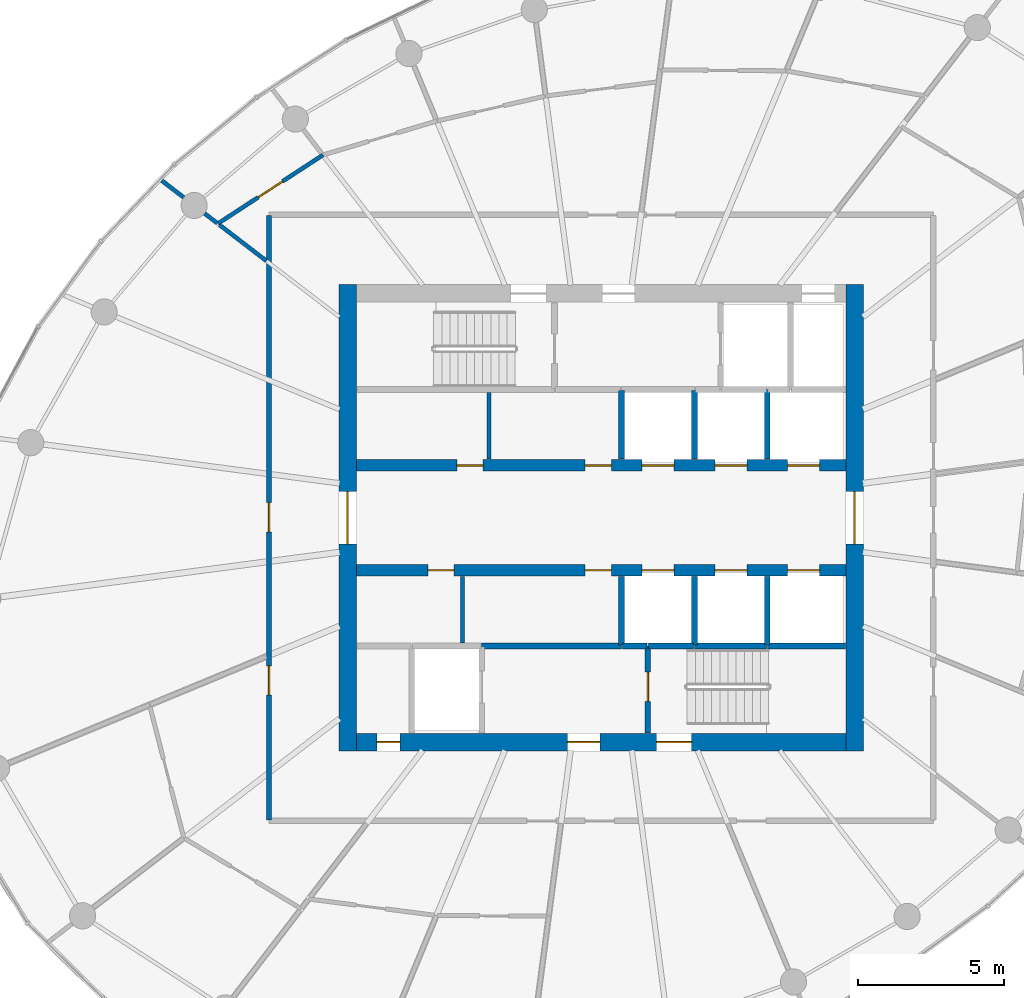
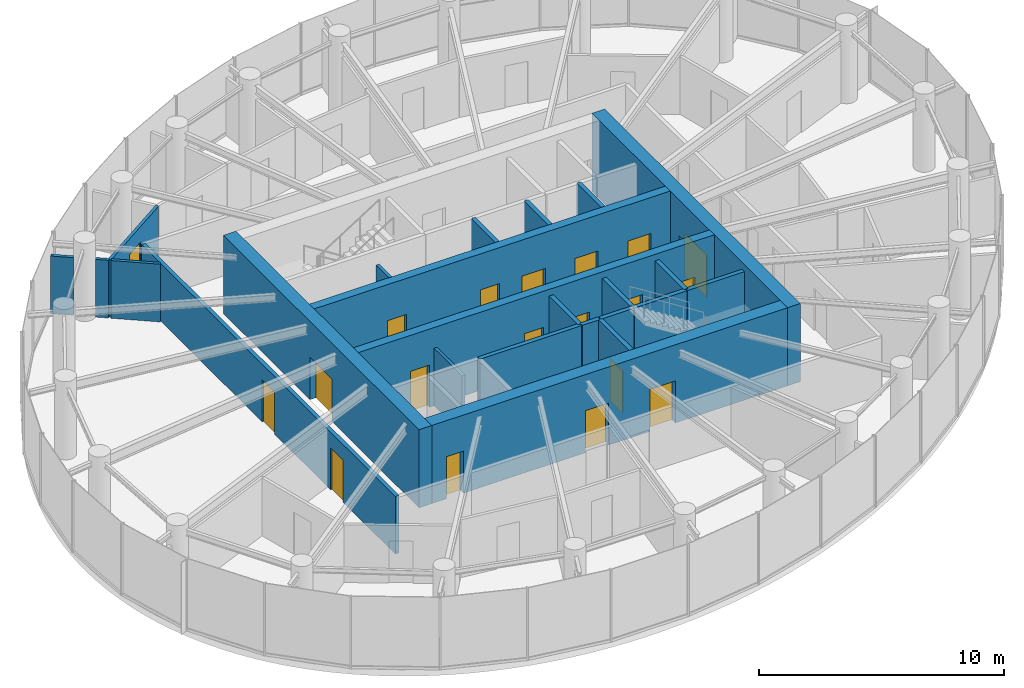
# One storey, part 10 of 14: 24 walls, 19 doors, 19 openings.
"""IFC4 building model written with IfcOpenShell, lengths in metres."""

from ifc_helpers import new_model, si_unit, direction, frame, frame_2d, origin, place, context, subcontext, project, spatial, rectangle, extrude, source, transform, mapped, material, layer, layer_set, type_object, element, fill, save


model = new_model("IFC4")

# Units and contexts
model_context = context("Model", 3, precision=1e-05, world=origin(), true_north=direction((0.0, 1.0)))
body_context = subcontext(model_context, "Body", "Model", "MODEL_VIEW")
ifc_project = project(units=[si_unit("LENGTHUNIT", "METRE"), si_unit("AREAUNIT", "SQUARE_METRE"), si_unit("VOLUMEUNIT", "CUBIC_METRE"), si_unit("PLANEANGLEUNIT", "RADIAN"), si_unit("MASSUNIT", "GRAM", prefix="KILO")], contexts=[model_context])

# Site, building, storey
site_placement = place(None, origin())
site = spatial("IfcSite", under=ifc_project, at=site_placement, CompositionType="ELEMENT")
building_placement = place(site_placement, origin())
building = spatial("IfcBuilding", under=site, at=building_placement, Name="Spindrift Exchange Tower", CompositionType="ELEMENT")
storey_placement = place(building_placement, frame((0.0, 0.0, 211.10009765625)))
storey = spatial("IfcBuildingStorey", under=building, at=storey_placement, Name="L51", CompositionType="ELEMENT", Elevation=211.10009765625)

# Wall, opening, door
ifc_material_1 = material(Name="Concrete 50 MPa", Category="concrete")
ifc_layer_1 = layer(ifc_material_1, 0.60009765625)
ifc_layer_set_1 = layer_set([ifc_layer_1], Name="RC Core Wall 600 Concrete 50 MPa")
wall_type_1 = type_object("IfcWallType", Name="RC Core Wall 600 Concrete 50 MPa", PredefinedType="SHEAR", material=ifc_layer_set_1)
wall_1_placement = place(storey_placement, frame((60.699951171875, 40.0, 0.0), z_axis=(0.0, 0.0, 1.0), x_axis=(0.0, 1.0, 0.0)))
wall_1 = element("IfcWall", 1, at=wall_1_placement, inside=storey, type_object=wall_type_1, Name="Core wall E L51", PredefinedType="SHEAR", context=body_context, shape_type="SweptSolid", body=[
    extrude(rectangle(XDim=16.0, YDim=0.60009765625, at=frame_2d((8.0, 0.0))), origin(), (0.0, 0.0, 1.0), 3.89990234375),
])
opening_1_placement = place(wall_1_placement, frame((7.10009765625, 0.0, 0.0)))
opening_1 = element("IfcOpeningElement", 2, at=opening_1_placement, cuts=wall_1, Name="Opening L51-D2", PredefinedType="OPENING", context=body_context, shape_type="SweptSolid", body=[
    extrude(rectangle(XDim=1.800048828125, YDim=2.10009765625, at=frame_2d((0.89990234375, 1.050048828125))), frame((0.0, 0.31005859375, 0.0), z_axis=(0.0, -1.0, 0.0), x_axis=(1.0, 0.0, 0.0)), (0.0, 0.0, 1.0), 0.6201171875),
])
ifc_material_2 = material(Name="Timber-core fire door", Category="wood")
door_type_1 = type_object("IfcDoorType", Name="DR-LOBBY-1800", OperationType="NOTDEFINED", PredefinedType="DOOR", material=ifc_material_2)
shared_shape_1 = source(origin(), body_context, "Body", "SweptSolid", [
    extrude(rectangle(XDim=1.800048828125, YDim=2.10009765625, at=frame_2d((0.89990234375, 1.050048828125))), frame((0.0, 0.02490234375, 0.0), z_axis=(0.0, -1.0, 0.0), x_axis=(1.0, 0.0, 0.0)), (0.0, 0.0, 1.0), 0.050048828125),
])
door_1_placement = place(opening_1_placement, origin())
door_1 = element("IfcDoor", 3, at=door_1_placement, inside=storey, type_object=door_type_1, Name="L51 Lobby door 2", OperationType="SINGLE_SWING_LEFT", OverallHeight=2.10009765625, OverallWidth=1.800048828125, PredefinedType="DOOR", context=body_context, shape_type="MappedRepresentation", body=[
    mapped(shared_shape_1, transform((0.0, 0.0, 0.0), scale=1.0)),
])
fill(opening_1, door_1)

wall_2_placement = place(storey_placement, frame((43.300048828125, 56.0, 0.0), z_axis=(0.0, 0.0, 1.0), x_axis=(0.0, -1.0, 0.0)))
wall_2 = element("IfcWall", 4, at=wall_2_placement, inside=storey, type_object=wall_type_1, Name="Core wall W L51", PredefinedType="SHEAR", context=body_context, shape_type="SweptSolid", body=[
    extrude(rectangle(XDim=16.0, YDim=0.60009765625, at=frame_2d((8.0, 0.0))), origin(), (0.0, 0.0, 1.0), 3.89990234375),
])
opening_2_placement = place(wall_2_placement, frame((7.10009765625, 0.0, 0.0)))
opening_2 = element("IfcOpeningElement", 5, at=opening_2_placement, cuts=wall_2, Name="Opening L51-D1", PredefinedType="OPENING", context=body_context, shape_type="SweptSolid", body=[
    extrude(rectangle(XDim=1.800048828125, YDim=2.10009765625, at=frame_2d((0.89990234375, 1.050048828125))), frame((0.0, 0.31005859375, 0.0), z_axis=(0.0, -1.0, 0.0), x_axis=(1.0, 0.0, 0.0)), (0.0, 0.0, 1.0), 0.6201171875),
])
door_2_placement = place(opening_2_placement, origin())
door_2 = element("IfcDoor", 6, at=door_2_placement, inside=storey, type_object=door_type_1, Name="L51 Lobby door 1", OperationType="SINGLE_SWING_RIGHT", OverallHeight=2.10009765625, OverallWidth=1.800048828125, PredefinedType="DOOR", context=body_context, shape_type="MappedRepresentation", body=[
    mapped(shared_shape_1, transform((0.0, 0.0, 0.0), scale=1.0)),
])
fill(opening_2, door_2)

# Wall, openings, doors
wall_3_placement = place(storey_placement, frame((43.60009765625, 40.300048828125, 0.0), z_axis=(0.0, 0.0, 1.0), x_axis=(1.0, 0.0, 0.0)))
wall_3 = element("IfcWall", 7, at=wall_3_placement, inside=storey, type_object=wall_type_1, Name="Core wall S L51", PredefinedType="SHEAR", context=body_context, shape_type="SweptSolid", body=[
    extrude(rectangle(XDim=16.7998046875, YDim=0.60009765625, at=frame_2d((8.39990234375, 0.0))), origin(), (0.0, 0.0, 1.0), 3.89990234375),
])
opening_3_placement = place(wall_3_placement, frame((10.300048828125, 0.0, 0.0)))
opening_3 = element("IfcOpeningElement", 8, at=opening_3_placement, cuts=wall_3, Name="Opening L51-D15", PredefinedType="OPENING", context=body_context, shape_type="SweptSolid", body=[
    extrude(rectangle(XDim=1.199951171875, YDim=2.10009765625, at=frame_2d((0.60009765625, 1.050048828125))), frame((0.0, 0.31005859375, 0.0), z_axis=(0.0, -1.0, 0.0), x_axis=(1.0, 0.0, 0.0)), (0.0, 0.0, 1.0), 0.6201171875),
])
opening_4_placement = place(wall_3_placement, frame((7.25, 0.0, 0.0)))
opening_4 = element("IfcOpeningElement", 9, at=opening_4_placement, cuts=wall_3, Name="Opening L51-D17", PredefinedType="OPENING", context=body_context, shape_type="SweptSolid", body=[
    extrude(rectangle(XDim=1.10009765625, YDim=2.10009765625, at=frame_2d((0.550048828125, 1.050048828125))), frame((0.0, 0.31005859375, 0.0), z_axis=(0.0, -1.0, 0.0), x_axis=(1.0, 0.0, 0.0)), (0.0, 0.0, 1.0), 0.6201171875),
])
opening_5_placement = place(wall_3_placement, frame((0.699951171875, 0.0, 0.0)))
opening_5 = element("IfcOpeningElement", 10, at=opening_5_placement, cuts=wall_3, Name="Opening L51-D18", PredefinedType="OPENING", context=body_context, shape_type="SweptSolid", body=[
    extrude(rectangle(XDim=0.800048828125, YDim=2.10009765625, at=frame_2d((0.39990234375, 1.050048828125))), frame((0.0, 0.31005859375, 0.0), z_axis=(0.0, -1.0, 0.0), x_axis=(1.0, 0.0, 0.0)), (0.0, 0.0, 1.0), 0.6201171875),
])
ifc_material_3 = material(Name="Steel fire door", Category="steel")
door_type_2 = type_object("IfcDoorType", Name="DR-STAIR-1200", OperationType="NOTDEFINED", PredefinedType="DOOR", material=ifc_material_3)
shared_shape_2 = source(origin(), body_context, "Body", "SweptSolid", [
    extrude(rectangle(XDim=1.199951171875, YDim=2.10009765625, at=frame_2d((0.60009765625, 1.050048828125))), frame((0.0, 0.02490234375, 0.0), z_axis=(0.0, -1.0, 0.0), x_axis=(1.0, 0.0, 0.0)), (0.0, 0.0, 1.0), 0.050048828125),
])
door_3_placement = place(opening_3_placement, origin())
door_3 = element("IfcDoor", 11, at=door_3_placement, inside=storey, type_object=door_type_2, Name="L51 Stair door 15", OperationType="SINGLE_SWING_LEFT", OverallHeight=2.10009765625, OverallWidth=1.199951171875, PredefinedType="DOOR", context=body_context, shape_type="MappedRepresentation", body=[
    mapped(shared_shape_2, transform((0.0, 0.0, 0.0), scale=1.0)),
])
fill(opening_3, door_3)
door_type_3 = type_object("IfcDoorType", Name="DR-LOBBY-1100", OperationType="NOTDEFINED", PredefinedType="DOOR", material=ifc_material_2)
shared_shape_3 = source(origin(), body_context, "Body", "SweptSolid", [
    extrude(rectangle(XDim=1.10009765625, YDim=2.10009765625, at=frame_2d((0.550048828125, 1.050048828125))), frame((0.0, 0.02490234375, 0.0), z_axis=(0.0, -1.0, 0.0), x_axis=(1.0, 0.0, 0.0)), (0.0, 0.0, 1.0), 0.050048828125),
])
door_4_placement = place(opening_4_placement, origin())
door_4 = element("IfcDoor", 12, at=door_4_placement, inside=storey, type_object=door_type_3, Name="L51 Lobby door 17", OperationType="SINGLE_SWING_LEFT", OverallHeight=2.10009765625, OverallWidth=1.10009765625, PredefinedType="DOOR", context=body_context, shape_type="MappedRepresentation", body=[
    mapped(shared_shape_3, transform((0.0, 0.0, 0.0), scale=1.0)),
])
fill(opening_4, door_4)
ifc_material_4 = material(Name="Steel access door", Category="steel")
door_type_4 = type_object("IfcDoorType", Name="DR-RISER-800", OperationType="NOTDEFINED", PredefinedType="DOOR", material=ifc_material_4)
shared_shape_4 = source(origin(), body_context, "Body", "SweptSolid", [
    extrude(rectangle(XDim=0.800048828125, YDim=2.10009765625, at=frame_2d((0.39990234375, 1.050048828125))), frame((0.0, 0.02490234375, 0.0), z_axis=(0.0, -1.0, 0.0), x_axis=(1.0, 0.0, 0.0)), (0.0, 0.0, 1.0), 0.050048828125),
])
door_5_placement = place(opening_5_placement, origin())
door_5 = element("IfcDoor", 13, at=door_5_placement, inside=storey, type_object=door_type_4, Name="L51 Riser door 18", OperationType="SINGLE_SWING_RIGHT", OverallHeight=2.10009765625, OverallWidth=0.800048828125, PredefinedType="DOOR", context=body_context, shape_type="MappedRepresentation", body=[
    mapped(shared_shape_4, transform((0.0, 0.0, 0.0), scale=1.0)),
])
fill(opening_5, door_5)

ifc_layer_2 = layer(ifc_material_1, 0.39990234375)
ifc_layer_set_2 = layer_set([ifc_layer_2], Name="RC Spine Wall 400 Concrete 50 MPa")
wall_type_2 = type_object("IfcWallType", Name="RC Spine Wall 400 Concrete 50 MPa", PredefinedType="SHEAR", material=ifc_layer_set_2)
wall_4_placement = place(storey_placement, frame((43.60009765625, 49.800048828125, 0.0), z_axis=(0.0, 0.0, 1.0), x_axis=(1.0, 0.0, 0.0)))
wall_4 = element("IfcWall", 14, at=wall_4_placement, inside=storey, type_object=wall_type_2, Name="Core spine wall N L51", PredefinedType="SHEAR", context=body_context, shape_type="SweptSolid", body=[
    extrude(rectangle(XDim=16.7998046875, YDim=0.39990234375, at=frame_2d((8.39990234375, 0.0))), origin(), (0.0, 0.0, 1.0), 3.89990234375),
])
opening_6_placement = place(wall_4_placement, frame((9.800048828125, 0.0, 0.0)))
opening_6 = element("IfcOpeningElement", 15, at=opening_6_placement, cuts=wall_4, Name="Opening L51-D3", PredefinedType="OPENING", context=body_context, shape_type="SweptSolid", body=[
    extrude(rectangle(XDim=1.10009765625, YDim=2.10009765625, at=frame_2d((0.550048828125, 1.050048828125))), frame((0.0, 0.2099609375, 0.0), z_axis=(0.0, -1.0, 0.0), x_axis=(1.0, 0.0, 0.0)), (0.0, 0.0, 1.0), 0.419921875),
])
opening_7_placement = place(wall_4_placement, frame((12.300048828125, 0.0, 0.0)))
opening_7 = element("IfcOpeningElement", 16, at=opening_7_placement, cuts=wall_4, Name="Opening L51-D4", PredefinedType="OPENING", context=body_context, shape_type="SweptSolid", body=[
    extrude(rectangle(XDim=1.10009765625, YDim=2.10009765625, at=frame_2d((0.550048828125, 1.050048828125))), frame((0.0, 0.2099609375, 0.0), z_axis=(0.0, -1.0, 0.0), x_axis=(1.0, 0.0, 0.0)), (0.0, 0.0, 1.0), 0.419921875),
])
opening_8_placement = place(wall_4_placement, frame((14.800048828125, 0.0, 0.0)))
opening_8 = element("IfcOpeningElement", 17, at=opening_8_placement, cuts=wall_4, Name="Opening L51-D5", PredefinedType="OPENING", context=body_context, shape_type="SweptSolid", body=[
    extrude(rectangle(XDim=1.10009765625, YDim=2.10009765625, at=frame_2d((0.550048828125, 1.050048828125))), frame((0.0, 0.2099609375, 0.0), z_axis=(0.0, -1.0, 0.0), x_axis=(1.0, 0.0, 0.0)), (0.0, 0.0, 1.0), 0.419921875),
])
opening_9_placement = place(wall_4_placement, frame((3.449951171875, 0.0, 0.0)))
opening_9 = element("IfcOpeningElement", 18, at=opening_9_placement, cuts=wall_4, Name="Opening L51-D45", PredefinedType="OPENING", context=body_context, shape_type="SweptSolid", body=[
    extrude(rectangle(XDim=0.89990234375, YDim=2.10009765625, at=frame_2d((0.449951171875, 1.050048828125))), frame((0.0, 0.2099609375, 0.0), z_axis=(0.0, -1.0, 0.0), x_axis=(1.0, 0.0, 0.0)), (0.0, 0.0, 1.0), 0.419921875),
])
opening_10_placement = place(wall_4_placement, frame((7.85009765625, 0.0, 0.0)))
opening_10 = element("IfcOpeningElement", 19, at=opening_10_placement, cuts=wall_4, Name="Opening L51-D46", PredefinedType="OPENING", context=body_context, shape_type="SweptSolid", body=[
    extrude(rectangle(XDim=0.89990234375, YDim=2.10009765625, at=frame_2d((0.449951171875, 1.050048828125))), frame((0.0, 0.2099609375, 0.0), z_axis=(0.0, -1.0, 0.0), x_axis=(1.0, 0.0, 0.0)), (0.0, 0.0, 1.0), 0.419921875),
])
ifc_material_5 = material(Name="Stainless steel landing door", Category="steel")
door_type_5 = type_object("IfcDoorType", Name="DR-LANDING-1100-SL", OperationType="DOUBLE_DOOR_SLIDING", PredefinedType="USERDEFINED", material=ifc_material_5)
shared_shape_5 = source(origin(), body_context, "Body", "SweptSolid", [
    extrude(rectangle(XDim=1.10009765625, YDim=2.10009765625, at=frame_2d((0.550048828125, 1.050048828125))), frame((0.0, 0.02490234375, 0.0), z_axis=(0.0, -1.0, 0.0), x_axis=(1.0, 0.0, 0.0)), (0.0, 0.0, 1.0), 0.050048828125),
])
door_6_placement = place(opening_6_placement, origin())
door_6 = element("IfcDoor", 20, at=door_6_placement, inside=storey, type_object=door_type_5, Name="L51 Lift landing door 3", ObjectType="LANDING DOOR", OperationType="DOUBLE_DOOR_SLIDING", OverallHeight=2.10009765625, OverallWidth=1.10009765625, PredefinedType="USERDEFINED", context=body_context, shape_type="MappedRepresentation", body=[
    mapped(shared_shape_5, transform((0.0, 0.0, 0.0), scale=1.0)),
])
fill(opening_6, door_6)
door_7_placement = place(opening_7_placement, origin())
door_7 = element("IfcDoor", 21, at=door_7_placement, inside=storey, type_object=door_type_5, Name="L51 Lift landing door 4", ObjectType="LANDING DOOR", OperationType="DOUBLE_DOOR_SLIDING", OverallHeight=2.10009765625, OverallWidth=1.10009765625, PredefinedType="USERDEFINED", context=body_context, shape_type="MappedRepresentation", body=[
    mapped(shared_shape_5, transform((0.0, 0.0, 0.0), scale=1.0)),
])
fill(opening_7, door_7)
door_8_placement = place(opening_8_placement, origin())
door_8 = element("IfcDoor", 22, at=door_8_placement, inside=storey, type_object=door_type_5, Name="L51 Lift landing door 5", ObjectType="LANDING DOOR", OperationType="DOUBLE_DOOR_SLIDING", OverallHeight=2.10009765625, OverallWidth=1.10009765625, PredefinedType="USERDEFINED", context=body_context, shape_type="MappedRepresentation", body=[
    mapped(shared_shape_5, transform((0.0, 0.0, 0.0), scale=1.0)),
])
fill(opening_8, door_8)
door_type_6 = type_object("IfcDoorType", Name="DR-RISER-900", OperationType="NOTDEFINED", PredefinedType="DOOR", material=ifc_material_4)
shared_shape_6 = source(origin(), body_context, "Body", "SweptSolid", [
    extrude(rectangle(XDim=0.89990234375, YDim=2.10009765625, at=frame_2d((0.449951171875, 1.050048828125))), frame((0.0, 0.02490234375, 0.0), z_axis=(0.0, -1.0, 0.0), x_axis=(1.0, 0.0, 0.0)), (0.0, 0.0, 1.0), 0.050048828125),
])
door_9_placement = place(opening_9_placement, origin())
door_9 = element("IfcDoor", 23, at=door_9_placement, inside=storey, type_object=door_type_6, Name="L51 Riser door 45", OperationType="SINGLE_SWING_LEFT", OverallHeight=2.10009765625, OverallWidth=0.89990234375, PredefinedType="DOOR", context=body_context, shape_type="MappedRepresentation", body=[
    mapped(shared_shape_6, transform((0.0, 0.0, 0.0), scale=1.0)),
])
fill(opening_9, door_9)
door_10_placement = place(opening_10_placement, origin())
door_10 = element("IfcDoor", 24, at=door_10_placement, inside=storey, type_object=door_type_6, Name="L51 Riser door 46", OperationType="SINGLE_SWING_RIGHT", OverallHeight=2.10009765625, OverallWidth=0.89990234375, PredefinedType="DOOR", context=body_context, shape_type="MappedRepresentation", body=[
    mapped(shared_shape_6, transform((0.0, 0.0, 0.0), scale=1.0)),
])
fill(opening_10, door_10)

wall_5_placement = place(storey_placement, frame((43.60009765625, 46.199951171875, 0.0), z_axis=(0.0, 0.0, 1.0), x_axis=(1.0, 0.0, 0.0)))
wall_5 = element("IfcWall", 25, at=wall_5_placement, inside=storey, type_object=wall_type_2, Name="Core spine wall S L51", PredefinedType="SHEAR", context=body_context, shape_type="SweptSolid", body=[
    extrude(rectangle(XDim=16.7998046875, YDim=0.39990234375, at=frame_2d((8.39990234375, 0.0))), origin(), (0.0, 0.0, 1.0), 3.89990234375),
])
opening_11_placement = place(wall_5_placement, frame((9.800048828125, 0.0, 0.0)))
opening_11 = element("IfcOpeningElement", 26, at=opening_11_placement, cuts=wall_5, Name="Opening L51-D6", PredefinedType="OPENING", context=body_context, shape_type="SweptSolid", body=[
    extrude(rectangle(XDim=1.10009765625, YDim=2.10009765625, at=frame_2d((0.550048828125, 1.050048828125))), frame((0.0, 0.2099609375, 0.0), z_axis=(0.0, -1.0, 0.0), x_axis=(1.0, 0.0, 0.0)), (0.0, 0.0, 1.0), 0.419921875),
])
opening_12_placement = place(wall_5_placement, frame((12.300048828125, 0.0, 0.0)))
opening_12 = element("IfcOpeningElement", 27, at=opening_12_placement, cuts=wall_5, Name="Opening L51-D7", PredefinedType="OPENING", context=body_context, shape_type="SweptSolid", body=[
    extrude(rectangle(XDim=1.10009765625, YDim=2.10009765625, at=frame_2d((0.550048828125, 1.050048828125))), frame((0.0, 0.2099609375, 0.0), z_axis=(0.0, -1.0, 0.0), x_axis=(1.0, 0.0, 0.0)), (0.0, 0.0, 1.0), 0.419921875),
])
opening_13_placement = place(wall_5_placement, frame((14.800048828125, 0.0, 0.0)))
opening_13 = element("IfcOpeningElement", 28, at=opening_13_placement, cuts=wall_5, Name="Opening L51-D8", PredefinedType="OPENING", context=body_context, shape_type="SweptSolid", body=[
    extrude(rectangle(XDim=1.10009765625, YDim=2.10009765625, at=frame_2d((0.550048828125, 1.050048828125))), frame((0.0, 0.2099609375, 0.0), z_axis=(0.0, -1.0, 0.0), x_axis=(1.0, 0.0, 0.0)), (0.0, 0.0, 1.0), 0.419921875),
])
opening_14_placement = place(wall_5_placement, frame((2.449951171875, 0.0, 0.0)))
opening_14 = element("IfcOpeningElement", 29, at=opening_14_placement, cuts=wall_5, Name="Opening L51-D47", PredefinedType="OPENING", context=body_context, shape_type="SweptSolid", body=[
    extrude(rectangle(XDim=0.89990234375, YDim=2.10009765625, at=frame_2d((0.449951171875, 1.050048828125))), frame((0.0, 0.2099609375, 0.0), z_axis=(0.0, -1.0, 0.0), x_axis=(1.0, 0.0, 0.0)), (0.0, 0.0, 1.0), 0.419921875),
])
opening_15_placement = place(wall_5_placement, frame((7.85009765625, 0.0, 0.0)))
opening_15 = element("IfcOpeningElement", 30, at=opening_15_placement, cuts=wall_5, Name="Opening L51-D48", PredefinedType="OPENING", context=body_context, shape_type="SweptSolid", body=[
    extrude(rectangle(XDim=0.89990234375, YDim=2.10009765625, at=frame_2d((0.449951171875, 1.050048828125))), frame((0.0, 0.2099609375, 0.0), z_axis=(0.0, -1.0, 0.0), x_axis=(1.0, 0.0, 0.0)), (0.0, 0.0, 1.0), 0.419921875),
])
door_11_placement = place(opening_11_placement, origin())
door_11 = element("IfcDoor", 31, at=door_11_placement, inside=storey, type_object=door_type_5, Name="L51 Lift landing door 6", ObjectType="LANDING DOOR", OperationType="DOUBLE_DOOR_SLIDING", OverallHeight=2.10009765625, OverallWidth=1.10009765625, PredefinedType="USERDEFINED", context=body_context, shape_type="MappedRepresentation", body=[
    mapped(shared_shape_5, transform((0.0, 0.0, 0.0), scale=1.0)),
])
fill(opening_11, door_11)
door_12_placement = place(opening_12_placement, origin())
door_12 = element("IfcDoor", 32, at=door_12_placement, inside=storey, type_object=door_type_5, Name="L51 Lift landing door 7", ObjectType="LANDING DOOR", OperationType="DOUBLE_DOOR_SLIDING", OverallHeight=2.10009765625, OverallWidth=1.10009765625, PredefinedType="USERDEFINED", context=body_context, shape_type="MappedRepresentation", body=[
    mapped(shared_shape_5, transform((0.0, 0.0, 0.0), scale=1.0)),
])
fill(opening_12, door_12)
door_13_placement = place(opening_13_placement, origin())
door_13 = element("IfcDoor", 33, at=door_13_placement, inside=storey, type_object=door_type_5, Name="L51 Lift landing door 8", ObjectType="LANDING DOOR", OperationType="DOUBLE_DOOR_SLIDING", OverallHeight=2.10009765625, OverallWidth=1.10009765625, PredefinedType="USERDEFINED", context=body_context, shape_type="MappedRepresentation", body=[
    mapped(shared_shape_5, transform((0.0, 0.0, 0.0), scale=1.0)),
])
fill(opening_13, door_13)
door_14_placement = place(opening_14_placement, origin())
door_14 = element("IfcDoor", 34, at=door_14_placement, inside=storey, type_object=door_type_6, Name="L51 Riser door 47", OperationType="SINGLE_SWING_LEFT", OverallHeight=2.10009765625, OverallWidth=0.89990234375, PredefinedType="DOOR", context=body_context, shape_type="MappedRepresentation", body=[
    mapped(shared_shape_6, transform((0.0, 0.0, 0.0), scale=1.0)),
])
fill(opening_14, door_14)
door_15_placement = place(opening_15_placement, origin())
door_15 = element("IfcDoor", 35, at=door_15_placement, inside=storey, type_object=door_type_6, Name="L51 Riser door 48", OperationType="SINGLE_SWING_RIGHT", OverallHeight=2.10009765625, OverallWidth=0.89990234375, PredefinedType="DOOR", context=body_context, shape_type="MappedRepresentation", body=[
    mapped(shared_shape_6, transform((0.0, 0.0, 0.0), scale=1.0)),
])
fill(opening_15, door_15)

ifc_material_6 = material(Name="Fire-rated plasterboard partition", Category="gypsum")
ifc_layer_3 = layer(ifc_material_6, 0.179931640625)
ifc_layer_set_3 = layer_set([ifc_layer_3], Name="W-CORR-180")
wall_type_3 = type_object("IfcWallType", Name="W-CORR-180", PredefinedType="PARTITIONING", material=ifc_layer_set_3)
wall_6_placement = place(storey_placement, frame((40.60009765625, 37.6298828125, 0.0), z_axis=(0.0, 0.0, 1.0), x_axis=(0.0, 1.0, 0.0)))
wall_6 = element("IfcWall", 36, at=wall_6_placement, inside=storey, type_object=wall_type_3, Name="L51 Partition wall 30", PredefinedType="PARTITIONING", context=body_context, shape_type="SweptSolid", body=[
    extrude(rectangle(XDim=20.740234375, YDim=0.179931640625, at=frame_2d((10.3701171875, 0.0))), origin(), (0.0, 0.0, 1.0), 2.8798828125),
])
opening_16_placement = place(wall_6_placement, frame((9.889892578125, 0.0, 0.0)))
opening_16 = element("IfcOpeningElement", 37, at=opening_16_placement, cuts=wall_6, Name="Opening L51-D33", PredefinedType="OPENING", context=body_context, shape_type="SweptSolid", body=[
    extrude(rectangle(XDim=1.0, YDim=2.10009765625, at=frame_2d((0.5, 1.050048828125))), frame((0.0, 0.099853515625, 0.0), z_axis=(0.0, -1.0, 0.0), x_axis=(1.0, 0.0, 0.0)), (0.0, 0.0, 1.0), 0.199951171875),
])
opening_17_placement = place(wall_6_placement, frame((4.2900390625, 0.0, 0.0)))
opening_17 = element("IfcOpeningElement", 38, at=opening_17_placement, cuts=wall_6, Name="Opening L51-D34", PredefinedType="OPENING", context=body_context, shape_type="SweptSolid", body=[
    extrude(rectangle(XDim=1.0, YDim=2.10009765625, at=frame_2d((0.5, 1.050048828125))), frame((0.0, 0.099853515625, 0.0), z_axis=(0.0, -1.0, 0.0), x_axis=(1.0, 0.0, 0.0)), (0.0, 0.0, 1.0), 0.199951171875),
])
door_type_7 = type_object("IfcDoorType", Name="DR-ROOM-1000", OperationType="NOTDEFINED", PredefinedType="DOOR", material=ifc_material_2)
shared_shape_7 = source(origin(), body_context, "Body", "SweptSolid", [
    extrude(rectangle(XDim=1.0, YDim=2.10009765625, at=frame_2d((0.5, 1.050048828125))), frame((0.0, 0.02490234375, 0.0), z_axis=(0.0, -1.0, 0.0), x_axis=(1.0, 0.0, 0.0)), (0.0, 0.0, 1.0), 0.050048828125),
])
door_16_placement = place(opening_16_placement, origin())
door_16 = element("IfcDoor", 39, at=door_16_placement, inside=storey, type_object=door_type_7, Name="L51 Door 33", OperationType="SINGLE_SWING_LEFT", OverallHeight=2.10009765625, OverallWidth=1.0, PredefinedType="DOOR", context=body_context, shape_type="MappedRepresentation", body=[
    mapped(shared_shape_7, transform((0.0, 0.0, 0.0), scale=1.0)),
])
fill(opening_16, door_16)
door_17_placement = place(opening_17_placement, origin())
door_17 = element("IfcDoor", 40, at=door_17_placement, inside=storey, type_object=door_type_7, Name="L51 Door 34", OperationType="SINGLE_SWING_RIGHT", OverallHeight=2.10009765625, OverallWidth=1.0, PredefinedType="DOOR", context=body_context, shape_type="MappedRepresentation", body=[
    mapped(shared_shape_7, transform((0.0, 0.0, 0.0), scale=1.0)),
])
fill(opening_17, door_17)

# Wall, opening, door
ifc_layer_4 = layer(ifc_material_6, 0.139892578125)
ifc_layer_set_4 = layer_set([ifc_layer_4], Name="W-PART-140")
wall_type_4 = type_object("IfcWallType", Name="W-PART-140", PredefinedType="PARTITIONING", material=ifc_layer_set_4)
wall_7_placement = place(storey_placement, frame((38.843017578125, 58.095703125, 0.0), z_axis=(0.0, 0.0, 1.0), x_axis=(0.83707650684, 0.547085844907, 0.0)))
wall_7 = element("IfcWall", 41, at=wall_7_placement, inside=storey, type_object=wall_type_4, Name="L51 Partition wall 46", PredefinedType="PARTITIONING", context=body_context, shape_type="SweptSolid", body=[
    extrude(rectangle(XDim=4.3046875, YDim=0.139892578125, at=frame_2d((2.15234375, 0.0))), origin(), (0.0, 0.0, 1.0), 2.8798828125),
])
opening_18_placement = place(wall_7_placement, frame((1.654541015625, 0.0, 0.0)))
opening_18 = element("IfcOpeningElement", 42, at=opening_18_placement, cuts=wall_7, Name="Opening L51-D32", PredefinedType="OPENING", context=body_context, shape_type="SweptSolid", body=[
    extrude(rectangle(XDim=1.0, YDim=2.10009765625, at=frame_2d((0.5, 1.050048828125))), frame((0.0, 0.079833984375, 0.0), z_axis=(0.0, -1.0, 0.0), x_axis=(1.0, 0.0, 0.0)), (0.0, 0.0, 1.0), 0.159912109375),
])
door_18_placement = place(opening_18_placement, origin())
door_18 = element("IfcDoor", 43, at=door_18_placement, inside=storey, type_object=door_type_7, Name="L51 Door 32", OperationType="SINGLE_SWING_RIGHT", OverallHeight=2.10009765625, OverallWidth=1.0, PredefinedType="DOOR", context=body_context, shape_type="MappedRepresentation", body=[
    mapped(shared_shape_7, transform((0.0, 0.0, 0.0), scale=1.0)),
])
fill(opening_18, door_18)

# Walls
wall_8_placement = place(storey_placement, frame((38.3896484375, 58.443603515625, 0.0), z_axis=(0.0, 0.0, 1.0), x_axis=(0.793294129055, -0.608838586825, 0.0)))
element("IfcWall", 44, at=wall_8_placement, inside=storey, type_object=wall_type_4, Name="L51 Partition wall 68", PredefinedType="PARTITIONING", context=body_context, shape_type="SweptSolid", body=[
    extrude(rectangle(XDim=0.541259765625, YDim=0.139892578125, at=frame_2d((0.2705078125, 0.0))), origin(), (0.0, 0.0, 1.0), 2.8798828125),
])
wall_9_placement = place(storey_placement, frame((38.90185546875, 58.050537109375, 0.0), z_axis=(0.0, 0.0, 1.0), x_axis=(0.7933756116, -0.608732403374, 0.0)))
element("IfcWall", 45, at=wall_9_placement, inside=storey, type_object=wall_type_4, Name="L51 Partition wall 69", PredefinedType="PARTITIONING", context=body_context, shape_type="SweptSolid", body=[
    extrude(rectangle(XDim=2.02685546875, YDim=0.139892578125, at=frame_2d((1.013427734375, 0.0))), origin(), (0.0, 0.0, 1.0), 2.8798828125),
])
for number, where, z_axis, x_axis, name in (
    (46, (47.239990234375, 43.699951171875, 0.0), (0.0, 0.0, 1.0), (0.0, 1.0, 0.0), "L51 Partition wall 72"),
    (47, (48.14990234375, 50.010009765625, 0.0), (0.0, 0.0, 1.0), (0.0, 1.0, 0.0), "L51 Partition wall 73"),
):
    element("IfcWall", number, at=place(storey_placement, frame(where, z_axis=z_axis, x_axis=x_axis)), inside=storey, type_object=wall_type_4, Name=name, PredefinedType="PARTITIONING", context=body_context, shape_type="SweptSolid", body=[
        extrude(rectangle(XDim=2.2900390625, YDim=0.139892578125, at=frame_2d((1.14501953125, 0.0))), origin(), (0.0, 0.0, 1.0), 2.8798828125),
    ])
wall_10_placement = place(storey_placement, frame((37.66845703125, 58.9970703125, 0.0), z_axis=(0.0, 0.0, 1.0), x_axis=(-0.793344167197, 0.608773383431, 0.0)))
element("IfcWall", 48, at=wall_10_placement, inside=storey, type_object=wall_type_4, Name="L51 Partition wall 89", PredefinedType="PARTITIONING", context=body_context, shape_type="SweptSolid", body=[
    extrude(rectangle(XDim=0.9443359375, YDim=0.139892578125, at=frame_2d((0.47216796875, 0.0))), origin(), (0.0, 0.0, 1.0), 2.8798828125),
])
ifc_material_7 = material(Name="Concrete 40 MPa", Category="concrete")
ifc_layer_5 = layer(ifc_material_7, 0.199951171875)
ifc_layer_set_5 = layer_set([ifc_layer_5], Name="W-SHAFT-200")
wall_type_5 = type_object("IfcWallType", Name="W-SHAFT-200", PredefinedType="SOLIDWALL", material=ifc_layer_set_5)
wall_11_placement = place(storey_placement, frame((52.699951171875, 43.60009765625, 0.0), z_axis=(0.0, 0.0, 1.0), x_axis=(-1.0, 0.0, 0.0)))
element("IfcWall", 49, at=wall_11_placement, inside=storey, type_object=wall_type_5, Name="L51 Shaft wall 2", PredefinedType="SOLIDWALL", context=body_context, shape_type="SweptSolid", body=[
    extrude(rectangle(XDim=4.800048828125, YDim=0.199951171875, at=frame_2d((2.39990234375, 0.0))), origin(), (0.0, 0.0, 1.0), 3.579833984375),
])
for number, where, z_axis, x_axis, name in (
    (50, (52.699951171875, 45.989990234375, 0.0), (0.0, 0.0, 1.0), (0.0, -1.0, 0.0), "L51 Shaft wall 13"),
    (51, (52.699951171875, 52.3701171875, 0.0), (0.0, 0.0, 1.0), (0.0, -1.0, 0.0), "L51 Shaft wall 14"),
    (52, (55.199951171875, 50.010009765625, 0.0), (0.0, 0.0, 1.0), (0.0, 1.0, 0.0), "L51 Shaft wall 16"),
):
    element("IfcWall", number, at=place(storey_placement, frame(where, z_axis=z_axis, x_axis=x_axis)), inside=storey, type_object=wall_type_5, Name=name, PredefinedType="SOLIDWALL", context=body_context, shape_type="SweptSolid", body=[
        extrude(rectangle(XDim=2.360107421875, YDim=0.199951171875, at=frame_2d((1.18017578125, 0.0))), origin(), (0.0, 0.0, 1.0), 3.579833984375),
    ])
wall_12_placement = place(storey_placement, frame((57.699951171875, 50.010009765625, 0.0), z_axis=(0.0, 0.0, 1.0), x_axis=(0.0, 1.0, 0.0)))
element("IfcWall", 53, at=wall_12_placement, inside=storey, type_object=wall_type_5, Name="L51 Shaft wall 18", PredefinedType="SOLIDWALL", context=body_context, shape_type="SweptSolid", body=[
    extrude(rectangle(XDim=2.389892578125, YDim=0.199951171875, at=frame_2d((1.19482421875, 0.0))), origin(), (0.0, 0.0, 1.0), 3.579833984375),
])

# Wall, opening, door
ifc_layer_6 = layer(ifc_material_7, 0.199951171875)
ifc_layer_set_6 = layer_set([ifc_layer_6], Name="W-SHAFT-200-LB")
wall_type_6 = type_object("IfcWallType", Name="W-SHAFT-200-LB", PredefinedType="SOLIDWALL", material=ifc_layer_set_6)
wall_13_placement = place(storey_placement, frame((53.60009765625, 43.60009765625, 0.0), z_axis=(0.0, 0.0, 1.0), x_axis=(0.0, -1.0, 0.0)))
wall_13 = element("IfcWall", 54, at=wall_13_placement, inside=storey, type_object=wall_type_6, Name="L51 Shaft wall 6", PredefinedType="SOLIDWALL", context=body_context, shape_type="SweptSolid", body=[
    extrude(rectangle(XDim=2.97998046875, YDim=0.199951171875, at=frame_2d((1.489990234375, 0.0))), origin(), (0.0, 0.0, 1.0), 3.579833984375),
])
opening_19_placement = place(wall_13_placement, frame((0.89990234375, 0.0, 0.0)))
opening_19 = element("IfcOpeningElement", 55, at=opening_19_placement, cuts=wall_13, Name="Opening L51-D16", PredefinedType="OPENING", context=body_context, shape_type="SweptSolid", body=[
    extrude(rectangle(XDim=1.0, YDim=2.10009765625, at=frame_2d((0.5, 1.050048828125))), frame((0.0, 0.10986328125, 0.0), z_axis=(0.0, -1.0, 0.0), x_axis=(1.0, 0.0, 0.0)), (0.0, 0.0, 1.0), 0.219970703125),
])
door_type_8 = type_object("IfcDoorType", Name="DR-STAIR-1000", OperationType="NOTDEFINED", PredefinedType="DOOR", material=ifc_material_3)
shared_shape_8 = source(origin(), body_context, "Body", "SweptSolid", [
    extrude(rectangle(XDim=1.0, YDim=2.10009765625, at=frame_2d((0.5, 1.050048828125))), frame((0.0, 0.02490234375, 0.0), z_axis=(0.0, -1.0, 0.0), x_axis=(1.0, 0.0, 0.0)), (0.0, 0.0, 1.0), 0.050048828125),
])
door_19_placement = place(opening_19_placement, origin())
door_19 = element("IfcDoor", 56, at=door_19_placement, inside=storey, type_object=door_type_8, Name="L51 Stair door 16", OperationType="SINGLE_SWING_RIGHT", OverallHeight=2.10009765625, OverallWidth=1.0, PredefinedType="DOOR", context=body_context, shape_type="MappedRepresentation", body=[
    mapped(shared_shape_8, transform((0.0, 0.0, 0.0), scale=1.0)),
])
fill(opening_19, door_19)

# Walls
wall_14_placement = place(storey_placement, frame((57.699951171875, 43.60009765625, 0.0), z_axis=(0.0, 0.0, 1.0), x_axis=(1.0, 0.0, 0.0)))
element("IfcWall", 57, at=wall_14_placement, inside=storey, type_object=wall_type_6, Name="L51 Shaft wall 9", PredefinedType="SOLIDWALL", context=body_context, shape_type="SweptSolid", body=[
    extrude(rectangle(XDim=2.679931640625, YDim=0.199951171875, at=frame_2d((1.33984375, 0.0))), origin(), (0.0, 0.0, 1.0), 3.579833984375),
])
wall_15_placement = place(storey_placement, frame((55.199951171875, 43.60009765625, 0.0), z_axis=(0.0, 0.0, 1.0), x_axis=(1.0, 0.0, 0.0)))
element("IfcWall", 58, at=wall_15_placement, inside=storey, type_object=wall_type_6, Name="L51 Shaft wall 11", PredefinedType="SOLIDWALL", context=body_context, shape_type="SweptSolid", body=[
    extrude(rectangle(XDim=2.469970703125, YDim=0.199951171875, at=frame_2d((1.23486328125, 0.0))), origin(), (0.0, 0.0, 1.0), 3.579833984375),
])
for number, where, z_axis, x_axis, name in (
    (59, (55.199951171875, 43.6298828125, 0.0), (0.0, 0.0, 1.0), (0.0, 1.0, 0.0), "L51 Shaft wall 15"),
    (60, (57.699951171875, 43.6298828125, 0.0), (0.0, 0.0, 1.0), (0.0, 1.0, 0.0), "L51 Shaft wall 17"),
):
    element("IfcWall", number, at=place(storey_placement, frame(where, z_axis=z_axis, x_axis=x_axis)), inside=storey, type_object=wall_type_6, Name=name, PredefinedType="SOLIDWALL", context=body_context, shape_type="SweptSolid", body=[
        extrude(rectangle(XDim=2.360107421875, YDim=0.199951171875, at=frame_2d((1.18017578125, 0.0))), origin(), (0.0, 0.0, 1.0), 3.579833984375),
    ])
wall_16_placement = place(storey_placement, frame((53.6298828125, 43.60009765625, 0.0), z_axis=(0.0, 0.0, 1.0), x_axis=(1.0, 0.0, 0.0)))
element("IfcWall", 61, at=wall_16_placement, inside=storey, type_object=wall_type_6, Name="L51 Shaft wall 22", PredefinedType="SOLIDWALL", context=body_context, shape_type="SweptSolid", body=[
    extrude(rectangle(XDim=1.5400390625, YDim=0.199951171875, at=frame_2d((0.77001953125, 0.0))), origin(), (0.0, 0.0, 1.0), 3.579833984375),
])
wall_17_placement = place(storey_placement, frame((52.72998046875, 43.60009765625, 0.0), z_axis=(0.0, 0.0, 1.0), x_axis=(1.0, 0.0, 0.0)))
element("IfcWall", 62, at=wall_17_placement, inside=storey, type_object=wall_type_6, Name="L51 Shaft wall 24", PredefinedType="SOLIDWALL", context=body_context, shape_type="SweptSolid", body=[
    extrude(rectangle(XDim=0.840087890625, YDim=0.199951171875, at=frame_2d((0.419921875, 0.0))), origin(), (0.0, 0.0, 1.0), 3.579833984375),
])

save(model, "model.ifc")
